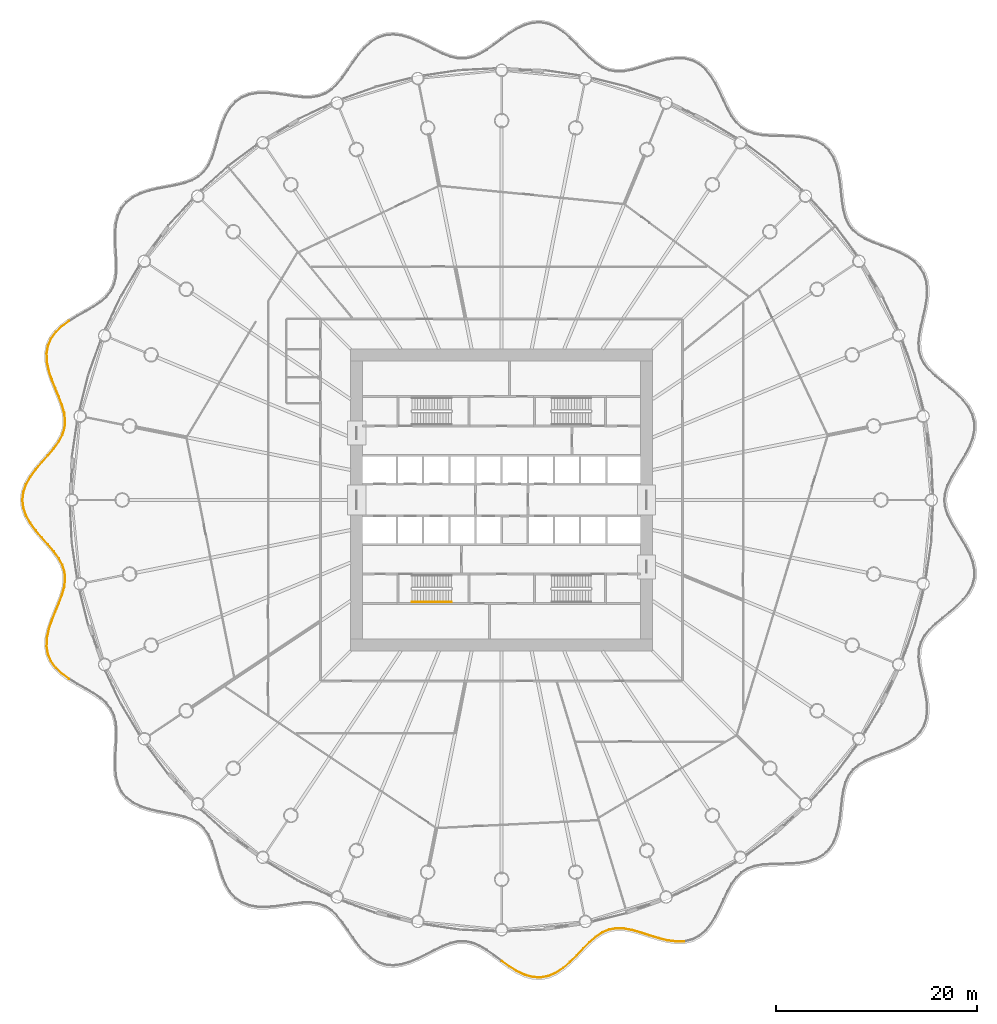
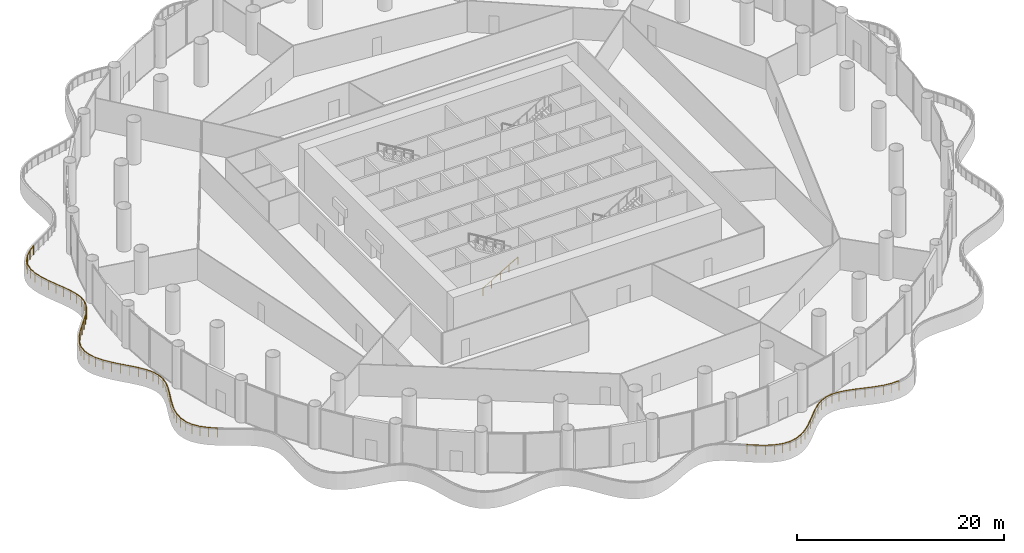
# One storey, part 29 of 35: 4 railings.
"""IFC4 building model written with IfcOpenShell, lengths in metres."""

from ifc_helpers import new_model, si_unit, direction, frame, origin, origin_2d, place, context, subcontext, project, spatial, circle, extrude, material, type_object, element, save


model = new_model("IFC4")

# Units and contexts
model_context = context("Model", 3, precision=1e-05, world=origin(), true_north=direction((0.0, 1.0)))
body_context = subcontext(model_context, "Body", "Model", "MODEL_VIEW")
ifc_project = project(units=[si_unit("LENGTHUNIT", "METRE"), si_unit("AREAUNIT", "SQUARE_METRE"), si_unit("VOLUMEUNIT", "CUBIC_METRE"), si_unit("PLANEANGLEUNIT", "RADIAN"), si_unit("MASSUNIT", "GRAM", prefix="KILO")], contexts=[model_context])

# Site, building, storey
site_placement = place(None, origin())
site = spatial("IfcSite", under=ifc_project, at=site_placement, CompositionType="ELEMENT")
building_placement = place(site_placement, origin())
building = spatial("IfcBuilding", under=site, at=building_placement, Name="Corvane Civic Tower", CompositionType="ELEMENT")
storey_placement = place(building_placement, frame((0.0, 0.0, 22.0)))
storey = spatial("IfcBuildingStorey", under=building, at=storey_placement, Name="L04", CompositionType="ELEMENT", Elevation=22.0)

# Railings
ifc_material_1 = material(Name="Steel ASTM A572 Gr 50", Category="steel")
railing_type_1 = type_object("IfcRailingType", Name="PODIUM-RL-GUARD-1100", PredefinedType="GUARDRAIL", material=ifc_material_1)
railing_1_placement = place(storey_placement, frame((-42.9794921875, 17.77978515625, 0.0)))
element("IfcRailing", 1, at=railing_1_placement, inside=storey, type_object=railing_type_1, Name="L04 ribbon guard 4", PredefinedType="GUARDRAIL", context=body_context, shape_type="SweptSolid", body=[
    extrude(circle(Radius=0.02392578125, at=origin_2d()), frame((0.0, 0.0, 1.076171875), z_axis=(-0.808024121699, -0.589149402743, 0.0), x_axis=(0.589149402743, -0.808024121699, 0.0)), (0.0, 0.0, 1.0), 0.875732421875),
    extrude(circle(Radius=0.02392578125, at=origin_2d()), frame((-0.70751953125, -0.515869140625, 1.076171875), z_axis=(-0.723647806024, -0.690169437774, 0.0), x_axis=(0.690169437774, -0.723647806024, 0.0)), (0.0, 0.0, 1.0), 0.853271484375),
    extrude(circle(Radius=0.02392578125, at=origin_2d()), frame((-1.324951171875, -1.104736328125, 1.076171875), z_axis=(-0.585070319638, -0.810982565213, 0.0), x_axis=(0.810982565213, -0.585070319638, 0.0)), (0.0, 0.0, 1.0), 0.80615234375),
    extrude(circle(Radius=0.02392578125, at=origin_2d()), frame((-1.796630859375, -1.758544921875, 1.076171875), z_axis=(-0.388966135256, -0.921252053254, 0.0), x_axis=(0.921252053254, -0.388966135256, 0.0)), (0.0, 0.0, 1.0), 0.7802734375),
    extrude(circle(Radius=0.02392578125, at=origin_2d()), frame((-2.10009765625, -2.477294921875, 1.076171875), z_axis=(-0.162739938475, -0.986668998411, 0.0), x_axis=(0.986668998411, -0.162739938475, 0.0)), (0.0, 0.0, 1.0), 0.78759765625),
    extrude(circle(Radius=0.02392578125, at=origin_2d()), frame((-2.228271484375, -3.25439453125, 1.076171875), z_axis=(0.047086758892, -0.99889080341, 0.0), x_axis=(0.99889080341, 0.047086758892, 0.0)), (0.0, 0.0, 1.0), 0.824462890625),
    extrude(circle(Radius=0.02392578125, at=origin_2d()), frame((-2.189453125, -4.077880859375, 1.076171875), z_axis=(0.208022388845, -0.978124064595, 0.0), x_axis=(0.978124064595, 0.208022388845, 0.0)), (0.0, 0.0, 1.0), 0.874267578125),
    extrude(circle(Radius=0.02392578125, at=origin_2d()), frame((-2.007568359375, -4.93310546875, 1.076171875), z_axis=(0.31446833184, -0.949267964418, 0.0), x_axis=(0.949267964418, 0.31446833184, 0.0)), (0.0, 0.0, 1.0), 0.916015625),
    extrude(circle(Radius=0.02392578125, at=origin_2d()), frame((-1.719482421875, -5.802734375, 1.076171875), z_axis=(0.371705911856, -0.9283505346, 0.0), x_axis=(0.9283505346, 0.371705911856, 0.0)), (0.0, 0.0, 1.0), 0.9345703125),
    extrude(circle(Radius=0.02392578125, at=origin_2d()), frame((-1.3720703125, -6.67041015625, 1.076171875), z_axis=(0.385629996801, -0.92265351328, 0.0), x_axis=(0.92265351328, 0.385629996801, 0.0)), (0.0, 0.0, 1.0), 0.92236328125),
    extrude(circle(Radius=0.02392578125, at=origin_2d()), frame((-1.016357421875, -7.521484375, 1.076171875), z_axis=(0.354311552016, -0.935127437363, 0.0), x_axis=(0.935127437363, 0.354311552016, 0.0)), (0.0, 0.0, 1.0), 0.880615234375),
    extrude(circle(Radius=0.02392578125, at=origin_2d()), frame((-0.704345703125, -8.344970703125, 1.076171875), z_axis=(0.270512880182, -0.962716355764, 0.0), x_axis=(0.962716355764, 0.270512880182, 0.0)), (0.0, 0.0, 1.0), 0.8203125),
    extrude(circle(Radius=0.02392578125, at=origin_2d()), frame((-0.482421875, -9.134765625, 1.076171875), z_axis=(0.124627707082, -0.992203575194, 0.0), x_axis=(0.992203575194, 0.124627707082, 0.0)), (0.0, 0.0, 1.0), 0.760009765625),
    extrude(circle(Radius=0.02392578125, at=origin_2d()), frame((-0.3876953125, -9.888916015625, 1.076171875), z_axis=(-0.077238126627, -0.997012673839, 0.0), x_axis=(0.997012673839, -0.077238126627, 0.0)), (0.0, 0.0, 1.0), 0.723876953125),
    extrude(circle(Radius=0.02392578125, at=origin_2d()), frame((-0.443603515625, -10.610595703125, 1.076171875), z_axis=(-0.29462753288, -0.955612168648, 0.0), x_axis=(0.955612168648, -0.29462753288, 0.0)), (0.0, 0.0, 1.0), 0.728271484375),
    extrude(circle(Radius=0.02392578125, at=origin_2d()), frame((-0.658203125, -11.306640625, 1.076171875), z_axis=(-0.472344319785, -0.88141411582, 0.0), x_axis=(0.88141411582, -0.472344319785, 0.0)), (0.0, 0.0, 1.0), 0.771728515625),
    extrude(circle(Radius=0.02392578125, at=origin_2d()), frame((-1.022705078125, -11.98681640625, 1.076171875), z_axis=(-0.587701494094, -0.809077841645, 0.0), x_axis=(0.809077841645, -0.587701494094, 0.0)), (0.0, 0.0, 1.0), 0.833740234375),
    extrude(circle(Radius=0.02392578125, at=origin_2d()), frame((-1.5126953125, -12.661376953125, 1.076171875), z_axis=(-0.647401953144, -0.762148746024, 0.0), x_axis=(0.762148746024, -0.647401953144, 0.0)), (0.0, 0.0, 1.0), 0.8916015625),
    extrude(circle(Radius=0.02392578125, at=origin_2d()), frame((-2.08984375, -13.3408203125, 1.076171875), z_axis=(-0.66485380036, -0.746973509668, 0.0), x_axis=(0.746973509668, -0.66485380036, 0.0)), (0.0, 0.0, 1.0), 0.927490234375),
    extrude(circle(Radius=0.02392578125, at=origin_2d()), frame((-2.70654296875, -14.03369140625, 1.076171875), z_axis=(-0.646364278771, -0.763028976598, 0.0), x_axis=(0.763028976598, -0.646364278771, 0.0)), (0.0, 0.0, 1.0), 0.933349609375),
    extrude(circle(Radius=0.02392578125, at=origin_2d()), frame((-3.309814453125, -14.745849609375, 1.076171875), z_axis=(-0.590198429837, -0.807258207402, 0.0), x_axis=(0.807258207402, -0.590198429837, 0.0)), (0.0, 0.0, 1.0), 0.90869140625),
    extrude(circle(Radius=0.02392578125, at=origin_2d()), frame((-3.84619140625, -15.4794921875, 1.076171875), z_axis=(-0.488663611226, -0.872472277533, 0.0), x_axis=(0.872472277533, -0.488663611226, 0.0)), (0.0, 0.0, 1.0), 0.86376953125),
    extrude(circle(Radius=0.02392578125, at=origin_2d()), frame((-4.268310546875, -16.233154296875, 1.076171875), z_axis=(-0.330750742089, -0.943718149983, 0.0), x_axis=(0.943718149983, -0.330750742089, 0.0)), (0.0, 0.0, 1.0), 0.81494140625),
    extrude(circle(Radius=0.02392578125, at=origin_2d()), frame((-4.537841796875, -17.002197265625, 1.076171875), z_axis=(-0.118522895121, -0.992951319719, 0.0), x_axis=(0.992951319719, -0.118522895121, 0.0)), (0.0, 0.0, 1.0), 0.758056640625),
    extrude(circle(Radius=0.02099609375, at=origin_2d()), origin(), (0.0, 0.0, 1.0), 1.052001953125),
    extrude(circle(Radius=0.02099609375, at=origin_2d()), frame((-0.70751953125, -0.515869140625, 0.0)), (0.0, 0.0, 1.0), 1.052001953125),
    extrude(circle(Radius=0.02099609375, at=origin_2d()), frame((-1.324951171875, -1.104736328125, 0.0)), (0.0, 0.0, 1.0), 1.052001953125),
    extrude(circle(Radius=0.02099609375, at=origin_2d()), frame((-1.796630859375, -1.758544921875, 0.0)), (0.0, 0.0, 1.0), 1.052001953125),
    extrude(circle(Radius=0.02099609375, at=origin_2d()), frame((-2.10009765625, -2.477294921875, 0.0)), (0.0, 0.0, 1.0), 1.052001953125),
    extrude(circle(Radius=0.02099609375, at=origin_2d()), frame((-2.228271484375, -3.25439453125, 0.0)), (0.0, 0.0, 1.0), 1.052001953125),
    extrude(circle(Radius=0.02099609375, at=origin_2d()), frame((-2.189453125, -4.077880859375, 0.0)), (0.0, 0.0, 1.0), 1.052001953125),
    extrude(circle(Radius=0.02099609375, at=origin_2d()), frame((-2.007568359375, -4.93310546875, 0.0)), (0.0, 0.0, 1.0), 1.052001953125),
    extrude(circle(Radius=0.02099609375, at=origin_2d()), frame((-1.719482421875, -5.802734375, 0.0)), (0.0, 0.0, 1.0), 1.052001953125),
    extrude(circle(Radius=0.02099609375, at=origin_2d()), frame((-1.3720703125, -6.67041015625, 0.0)), (0.0, 0.0, 1.0), 1.052001953125),
    extrude(circle(Radius=0.02099609375, at=origin_2d()), frame((-1.016357421875, -7.521484375, 0.0)), (0.0, 0.0, 1.0), 1.052001953125),
    extrude(circle(Radius=0.02099609375, at=origin_2d()), frame((-0.704345703125, -8.344970703125, 0.0)), (0.0, 0.0, 1.0), 1.052001953125),
    extrude(circle(Radius=0.02099609375, at=origin_2d()), frame((-0.482421875, -9.134765625, 0.0)), (0.0, 0.0, 1.0), 1.052001953125),
    extrude(circle(Radius=0.02099609375, at=origin_2d()), frame((-0.3876953125, -9.888916015625, 0.0)), (0.0, 0.0, 1.0), 1.052001953125),
    extrude(circle(Radius=0.02099609375, at=origin_2d()), frame((-0.443603515625, -10.610595703125, 0.0)), (0.0, 0.0, 1.0), 1.052001953125),
    extrude(circle(Radius=0.02099609375, at=origin_2d()), frame((-0.658203125, -11.306640625, 0.0)), (0.0, 0.0, 1.0), 1.052001953125),
    extrude(circle(Radius=0.02099609375, at=origin_2d()), frame((-1.022705078125, -11.98681640625, 0.0)), (0.0, 0.0, 1.0), 1.052001953125),
    extrude(circle(Radius=0.02099609375, at=origin_2d()), frame((-1.5126953125, -12.661376953125, 0.0)), (0.0, 0.0, 1.0), 1.052001953125),
    extrude(circle(Radius=0.02099609375, at=origin_2d()), frame((-2.08984375, -13.3408203125, 0.0)), (0.0, 0.0, 1.0), 1.052001953125),
    extrude(circle(Radius=0.02099609375, at=origin_2d()), frame((-2.70654296875, -14.03369140625, 0.0)), (0.0, 0.0, 1.0), 1.052001953125),
    extrude(circle(Radius=0.02099609375, at=origin_2d()), frame((-3.309814453125, -14.745849609375, 0.0)), (0.0, 0.0, 1.0), 1.052001953125),
    extrude(circle(Radius=0.02099609375, at=origin_2d()), frame((-3.84619140625, -15.4794921875, 0.0)), (0.0, 0.0, 1.0), 1.052001953125),
    extrude(circle(Radius=0.02099609375, at=origin_2d()), frame((-4.268310546875, -16.233154296875, 0.0)), (0.0, 0.0, 1.0), 1.052001953125),
    extrude(circle(Radius=0.02099609375, at=origin_2d()), frame((-4.537841796875, -17.002197265625, 0.0)), (0.0, 0.0, 1.0), 1.052001953125),
    extrude(circle(Radius=0.02099609375, at=origin_2d()), frame((-4.627685546875, -17.7548828125, 0.0)), (0.0, 0.0, 1.0), 1.052001953125),
])
railing_2_placement = place(storey_placement, frame((-47.607177734375, -0.02490234375, 0.0)))
element("IfcRailing", 2, at=railing_2_placement, inside=storey, type_object=railing_type_1, Name="L04 ribbon guard 5", PredefinedType="GUARDRAIL", context=body_context, shape_type="SweptSolid", body=[
    extrude(circle(Radius=0.02392578125, at=origin_2d()), frame((0.0, 0.0, 1.076171875), z_axis=(0.118522895121, -0.992951319719, 0.0), x_axis=(0.992951319719, 0.118522895121, 0.0)), (0.0, 0.0, 1.0), 0.758056640625),
    extrude(circle(Radius=0.02392578125, at=origin_2d()), frame((0.08984375, -0.752685546875, 1.076171875), z_axis=(0.330750742089, -0.943718149983, 0.0), x_axis=(0.943718149983, 0.330750742089, 0.0)), (0.0, 0.0, 1.0), 0.81494140625),
    extrude(circle(Radius=0.02392578125, at=origin_2d()), frame((0.359375, -1.521728515625, 1.076171875), z_axis=(0.488663611226, -0.872472277533, 0.0), x_axis=(0.872472277533, 0.488663611226, 0.0)), (0.0, 0.0, 1.0), 0.86376953125),
    extrude(circle(Radius=0.02392578125, at=origin_2d()), frame((0.781494140625, -2.275390625, 1.076171875), z_axis=(0.590198429837, -0.807258207402, 0.0), x_axis=(0.807258207402, 0.590198429837, 0.0)), (0.0, 0.0, 1.0), 0.90869140625),
    extrude(circle(Radius=0.02392578125, at=origin_2d()), frame((1.31787109375, -3.009033203125, 1.076171875), z_axis=(0.646364278771, -0.763028976598, 0.0), x_axis=(0.763028976598, 0.646364278771, 0.0)), (0.0, 0.0, 1.0), 0.933349609375),
    extrude(circle(Radius=0.02392578125, at=origin_2d()), frame((1.921142578125, -3.72119140625, 1.076171875), z_axis=(0.66485380036, -0.746973509668, 0.0), x_axis=(0.746973509668, 0.66485380036, 0.0)), (0.0, 0.0, 1.0), 0.927490234375),
    extrude(circle(Radius=0.02392578125, at=origin_2d()), frame((2.537841796875, -4.4140625, 1.076171875), z_axis=(0.647401953144, -0.762148746024, 0.0), x_axis=(0.762148746024, 0.647401953144, 0.0)), (0.0, 0.0, 1.0), 0.8916015625),
    extrude(circle(Radius=0.02392578125, at=origin_2d()), frame((3.114990234375, -5.093505859375, 1.076171875), z_axis=(0.587701494094, -0.809077841645, 0.0), x_axis=(0.809077841645, 0.587701494094, 0.0)), (0.0, 0.0, 1.0), 0.833740234375),
    extrude(circle(Radius=0.02392578125, at=origin_2d()), frame((3.60498046875, -5.76806640625, 1.076171875), z_axis=(0.472344319785, -0.88141411582, 0.0), x_axis=(0.88141411582, 0.472344319785, 0.0)), (0.0, 0.0, 1.0), 0.771728515625),
    extrude(circle(Radius=0.02392578125, at=origin_2d()), frame((3.969482421875, -6.4482421875, 1.076171875), z_axis=(0.29462753288, -0.955612168648, 0.0), x_axis=(0.955612168648, 0.29462753288, 0.0)), (0.0, 0.0, 1.0), 0.728271484375),
    extrude(circle(Radius=0.02392578125, at=origin_2d()), frame((4.18408203125, -7.144287109375, 1.076171875), z_axis=(0.077238126627, -0.997012673839, 0.0), x_axis=(0.997012673839, 0.077238126627, 0.0)), (0.0, 0.0, 1.0), 0.723876953125),
    extrude(circle(Radius=0.02392578125, at=origin_2d()), frame((4.239990234375, -7.865966796875, 1.076171875), z_axis=(-0.124627707082, -0.992203575194, 0.0), x_axis=(0.992203575194, -0.124627707082, 0.0)), (0.0, 0.0, 1.0), 0.760009765625),
    extrude(circle(Radius=0.02392578125, at=origin_2d()), frame((4.145263671875, -8.6201171875, 1.076171875), z_axis=(-0.270512880182, -0.962716355764, 0.0), x_axis=(0.962716355764, -0.270512880182, 0.0)), (0.0, 0.0, 1.0), 0.8203125),
    extrude(circle(Radius=0.02392578125, at=origin_2d()), frame((3.92333984375, -9.409912109375, 1.076171875), z_axis=(-0.354311552016, -0.935127437363, 0.0), x_axis=(0.935127437363, -0.354311552016, 0.0)), (0.0, 0.0, 1.0), 0.880615234375),
    extrude(circle(Radius=0.02392578125, at=origin_2d()), frame((3.611328125, -10.2333984375, 1.076171875), z_axis=(-0.385629996801, -0.92265351328, 0.0), x_axis=(0.92265351328, -0.385629996801, 0.0)), (0.0, 0.0, 1.0), 0.92236328125),
    extrude(circle(Radius=0.02392578125, at=origin_2d()), frame((3.255615234375, -11.08447265625, 1.076171875), z_axis=(-0.371705911856, -0.9283505346, 0.0), x_axis=(0.9283505346, -0.371705911856, 0.0)), (0.0, 0.0, 1.0), 0.9345703125),
    extrude(circle(Radius=0.02392578125, at=origin_2d()), frame((2.908203125, -11.9521484375, 1.076171875), z_axis=(-0.31446833184, -0.949267964418, 0.0), x_axis=(0.949267964418, -0.31446833184, 0.0)), (0.0, 0.0, 1.0), 0.916015625),
    extrude(circle(Radius=0.02392578125, at=origin_2d()), frame((2.6201171875, -12.82177734375, 1.076171875), z_axis=(-0.208022388845, -0.978124064595, 0.0), x_axis=(0.978124064595, -0.208022388845, 0.0)), (0.0, 0.0, 1.0), 0.874267578125),
    extrude(circle(Radius=0.02392578125, at=origin_2d()), frame((2.438232421875, -13.677001953125, 1.076171875), z_axis=(-0.047086758892, -0.99889080341, 0.0), x_axis=(0.99889080341, -0.047086758892, 0.0)), (0.0, 0.0, 1.0), 0.824462890625),
    extrude(circle(Radius=0.02392578125, at=origin_2d()), frame((2.3994140625, -14.50048828125, 1.076171875), z_axis=(0.162739938475, -0.986668998411, 0.0), x_axis=(0.986668998411, 0.162739938475, 0.0)), (0.0, 0.0, 1.0), 0.78759765625),
    extrude(circle(Radius=0.02392578125, at=origin_2d()), frame((2.527587890625, -15.277587890625, 1.076171875), z_axis=(0.388966135256, -0.921252053254, 0.0), x_axis=(0.921252053254, 0.388966135256, 0.0)), (0.0, 0.0, 1.0), 0.7802734375),
    extrude(circle(Radius=0.02392578125, at=origin_2d()), frame((2.8310546875, -15.996337890625, 1.076171875), z_axis=(0.585070319638, -0.810982565213, 0.0), x_axis=(0.810982565213, 0.585070319638, 0.0)), (0.0, 0.0, 1.0), 0.80615234375),
    extrude(circle(Radius=0.02392578125, at=origin_2d()), frame((3.302734375, -16.650146484375, 1.076171875), z_axis=(0.723647806024, -0.690169437774, 0.0), x_axis=(0.690169437774, 0.723647806024, 0.0)), (0.0, 0.0, 1.0), 0.853271484375),
    extrude(circle(Radius=0.02392578125, at=origin_2d()), frame((3.920166015625, -17.239013671875, 1.076171875), z_axis=(0.808024121699, -0.589149402743, 0.0), x_axis=(0.589149402743, 0.808024121699, 0.0)), (0.0, 0.0, 1.0), 0.875732421875),
    extrude(circle(Radius=0.02099609375, at=origin_2d()), origin(), (0.0, 0.0, 1.0), 1.052001953125),
    extrude(circle(Radius=0.02099609375, at=origin_2d()), frame((0.08984375, -0.752685546875, 0.0)), (0.0, 0.0, 1.0), 1.052001953125),
    extrude(circle(Radius=0.02099609375, at=origin_2d()), frame((0.359375, -1.521728515625, 0.0)), (0.0, 0.0, 1.0), 1.052001953125),
    extrude(circle(Radius=0.02099609375, at=origin_2d()), frame((0.781494140625, -2.275390625, 0.0)), (0.0, 0.0, 1.0), 1.052001953125),
    extrude(circle(Radius=0.02099609375, at=origin_2d()), frame((1.31787109375, -3.009033203125, 0.0)), (0.0, 0.0, 1.0), 1.052001953125),
    extrude(circle(Radius=0.02099609375, at=origin_2d()), frame((1.921142578125, -3.72119140625, 0.0)), (0.0, 0.0, 1.0), 1.052001953125),
    extrude(circle(Radius=0.02099609375, at=origin_2d()), frame((2.537841796875, -4.4140625, 0.0)), (0.0, 0.0, 1.0), 1.052001953125),
    extrude(circle(Radius=0.02099609375, at=origin_2d()), frame((3.114990234375, -5.093505859375, 0.0)), (0.0, 0.0, 1.0), 1.052001953125),
    extrude(circle(Radius=0.02099609375, at=origin_2d()), frame((3.60498046875, -5.76806640625, 0.0)), (0.0, 0.0, 1.0), 1.052001953125),
    extrude(circle(Radius=0.02099609375, at=origin_2d()), frame((3.969482421875, -6.4482421875, 0.0)), (0.0, 0.0, 1.0), 1.052001953125),
    extrude(circle(Radius=0.02099609375, at=origin_2d()), frame((4.18408203125, -7.144287109375, 0.0)), (0.0, 0.0, 1.0), 1.052001953125),
    extrude(circle(Radius=0.02099609375, at=origin_2d()), frame((4.239990234375, -7.865966796875, 0.0)), (0.0, 0.0, 1.0), 1.052001953125),
    extrude(circle(Radius=0.02099609375, at=origin_2d()), frame((4.145263671875, -8.6201171875, 0.0)), (0.0, 0.0, 1.0), 1.052001953125),
    extrude(circle(Radius=0.02099609375, at=origin_2d()), frame((3.92333984375, -9.409912109375, 0.0)), (0.0, 0.0, 1.0), 1.052001953125),
    extrude(circle(Radius=0.02099609375, at=origin_2d()), frame((3.611328125, -10.2333984375, 0.0)), (0.0, 0.0, 1.0), 1.052001953125),
    extrude(circle(Radius=0.02099609375, at=origin_2d()), frame((3.255615234375, -11.08447265625, 0.0)), (0.0, 0.0, 1.0), 1.052001953125),
    extrude(circle(Radius=0.02099609375, at=origin_2d()), frame((2.908203125, -11.9521484375, 0.0)), (0.0, 0.0, 1.0), 1.052001953125),
    extrude(circle(Radius=0.02099609375, at=origin_2d()), frame((2.6201171875, -12.82177734375, 0.0)), (0.0, 0.0, 1.0), 1.052001953125),
    extrude(circle(Radius=0.02099609375, at=origin_2d()), frame((2.438232421875, -13.677001953125, 0.0)), (0.0, 0.0, 1.0), 1.052001953125),
    extrude(circle(Radius=0.02099609375, at=origin_2d()), frame((2.3994140625, -14.50048828125, 0.0)), (0.0, 0.0, 1.0), 1.052001953125),
    extrude(circle(Radius=0.02099609375, at=origin_2d()), frame((2.527587890625, -15.277587890625, 0.0)), (0.0, 0.0, 1.0), 1.052001953125),
    extrude(circle(Radius=0.02099609375, at=origin_2d()), frame((2.8310546875, -15.996337890625, 0.0)), (0.0, 0.0, 1.0), 1.052001953125),
    extrude(circle(Radius=0.02099609375, at=origin_2d()), frame((3.302734375, -16.650146484375, 0.0)), (0.0, 0.0, 1.0), 1.052001953125),
    extrude(circle(Radius=0.02099609375, at=origin_2d()), frame((3.920166015625, -17.239013671875, 0.0)), (0.0, 0.0, 1.0), 1.052001953125),
    extrude(circle(Radius=0.02099609375, at=origin_2d()), frame((4.627685546875, -17.7548828125, 0.0)), (0.0, 0.0, 1.0), 1.052001953125),
])
railing_3_placement = place(storey_placement, frame((0.020263671875, -45.82470703125, 0.0)))
element("IfcRailing", 3, at=railing_3_placement, inside=storey, type_object=railing_type_1, Name="L04 ribbon guard 9", PredefinedType="GUARDRAIL", context=body_context, shape_type="SweptSolid", body=[
    extrude(circle(Radius=0.02392578125, at=origin_2d()), frame((0.0, 0.0, 1.076171875), z_axis=(0.812460785763, -0.583015841635, 0.0), x_axis=(0.583015841635, 0.812460785763, 0.0)), (0.0, 0.0, 1.0), 0.90869140625),
    extrude(circle(Radius=0.02392578125, at=origin_2d()), frame((0.73828125, -0.52978515625, 1.076171875), z_axis=(0.850653427583, -0.525726874091, 0.0), x_axis=(0.525726874091, 0.850653427583, 0.0)), (0.0, 0.0, 1.0), 0.91064453125),
    extrude(circle(Radius=0.02392578125, at=origin_2d()), frame((1.512939453125, -1.008544921875, 1.076171875), z_axis=(0.906693548144, -0.421790006703, 0.0), x_axis=(0.421790006703, 0.906693548144, 0.0)), (0.0, 0.0, 1.0), 0.866455078125),
    extrude(circle(Radius=0.02392578125, at=origin_2d()), frame((2.298583984375, -1.3740234375, 1.076171875), z_axis=(0.965080195855, -0.261954605932, 0.0), x_axis=(0.261954605932, 0.965080195855, 0.0)), (0.0, 0.0, 1.0), 0.8173828125),
    extrude(circle(Radius=0.02392578125, at=origin_2d()), frame((3.08740234375, -1.588134765625, 1.076171875), z_axis=(0.998849032041, -0.047964686914, 0.0), x_axis=(0.047964686914, 0.998849032041, 0.0)), (0.0, 0.0, 1.0), 0.783935546875),
    extrude(circle(Radius=0.02392578125, at=origin_2d()), frame((3.870361328125, -1.625732421875, 1.076171875), z_axis=(0.982248298966, 0.1875853917, 0.0), x_axis=(-0.1875853917, 0.982248298966, 0.0)), (0.0, 0.0, 1.0), 0.7822265625),
    extrude(circle(Radius=0.02392578125, at=origin_2d()), frame((4.638671875, -1.47900390625, 1.076171875), z_axis=(0.917380193582, 0.398012035526, 0.0), x_axis=(-0.398012035526, 0.917380193582, 0.0)), (0.0, 0.0, 1.0), 0.812744140625),
    extrude(circle(Radius=0.02392578125, at=origin_2d()), frame((5.38427734375, -1.155517578125, 1.076171875), z_axis=(0.833486795532, 0.552539375677, 0.0), x_axis=(-0.552539375677, 0.833486795532, 0.0)), (0.0, 0.0, 1.0), 0.861083984375),
    extrude(circle(Radius=0.02392578125, at=origin_2d()), frame((6.10205078125, -0.6796875, 1.076171875), z_axis=(0.75914257681, 0.65092437969, 0.0), x_axis=(-0.65092437969, 0.75914257681, 0.0)), (0.0, 0.0, 1.0), 0.906982421875),
    extrude(circle(Radius=0.02392578125, at=origin_2d()), frame((6.79052734375, -0.08935546875, 1.076171875), z_axis=(0.708936961458, 0.705271851613, 0.0), x_axis=(-0.705271851613, 0.708936961458, 0.0)), (0.0, 0.0, 1.0), 0.9326171875),
    extrude(circle(Radius=0.02392578125, at=origin_2d()), frame((7.45166015625, 0.568359375, 1.076171875), z_axis=(0.689543571561, 0.724244201163, 0.0), x_axis=(-0.724244201163, 0.689543571561, 0.0)), (0.0, 0.0, 1.0), 0.9287109375),
    extrude(circle(Radius=0.02392578125, at=origin_2d()), frame((8.092041015625, 1.240966796875, 1.076171875), z_axis=(0.704233789182, 0.709968147295, 0.0), x_axis=(-0.709968147295, 0.704233789182, 0.0)), (0.0, 0.0, 1.0), 0.89404296875),
    extrude(circle(Radius=0.02392578125, at=origin_2d()), frame((8.7216796875, 1.875732421875, 1.076171875), z_axis=(0.754272620006, 0.656561356393, 0.0), x_axis=(-0.656561356393, 0.754272620006, 0.0)), (0.0, 0.0, 1.0), 0.8369140625),
    extrude(circle(Radius=0.02392578125, at=origin_2d()), frame((9.35302734375, 2.42529296875, 1.076171875), z_axis=(0.834563037392, 0.550912458218, 0.0), x_axis=(-0.550912458218, 0.834563037392, 0.0)), (0.0, 0.0, 1.0), 0.774658203125),
    extrude(circle(Radius=0.02392578125, at=origin_2d()), frame((9.99951171875, 2.85205078125, 1.076171875), z_axis=(0.923768086981, 0.382952374943, 0.0), x_axis=(-0.382952374943, 0.923768086981, 0.0)), (0.0, 0.0, 1.0), 0.72998046875),
    extrude(circle(Radius=0.02392578125, at=origin_2d()), frame((10.673828125, 3.131591796875, 1.076171875), z_axis=(0.985295896143, 0.170856656425, 0.0), x_axis=(-0.170856656425, 0.985295896143, 0.0)), (0.0, 0.0, 1.0), 0.72314453125),
    extrude(circle(Radius=0.02392578125, at=origin_2d()), frame((11.38623046875, 3.255126953125, 1.076171875), z_axis=(0.999459476494, -0.032874836054, 0.0), x_axis=(0.032874836054, 0.999459476494, 0.0)), (0.0, 0.0, 1.0), 0.757568359375),
    extrude(circle(Radius=0.02392578125, at=origin_2d()), frame((12.143310546875, 3.230224609375, 1.076171875), z_axis=(0.982963417039, -0.183801307838, 0.0), x_axis=(0.183801307838, 0.982963417039, 0.0)), (0.0, 0.0, 1.0), 0.81689453125),
    extrude(circle(Radius=0.02392578125, at=origin_2d()), frame((12.9462890625, 3.080078125, 1.076171875), z_axis=(0.962057394744, -0.272847153583, 0.0), x_axis=(0.272847153583, 0.962057394744, 0.0)), (0.0, 0.0, 1.0), 0.877685546875),
    extrude(circle(Radius=0.02392578125, at=origin_2d()), frame((13.790771484375, 2.840576171875, 1.076171875), z_axis=(0.95153354577, -0.307544974392, 0.0), x_axis=(0.307544974392, 0.95153354577, 0.0)), (0.0, 0.0, 1.0), 0.9208984375),
    extrude(circle(Radius=0.02392578125, at=origin_2d()), frame((14.6669921875, 2.557373046875, 1.076171875), z_axis=(0.955229674826, -0.295865287473, 0.0), x_axis=(0.295865287473, 0.955229674826, 0.0)), (0.0, 0.0, 1.0), 0.934814453125),
    extrude(circle(Radius=0.02392578125, at=origin_2d()), frame((15.56005859375, 2.28076171875, 1.076171875), z_axis=(0.970981624167, -0.239154104144, 0.0), x_axis=(0.239154104144, 0.970981624167, 0.0)), (0.0, 0.0, 1.0), 0.917724609375),
    extrude(circle(Radius=0.02392578125, at=origin_2d()), frame((16.451171875, 2.061279296875, 1.076171875), z_axis=(0.99102735355, -0.133659210369, 0.0), x_axis=(0.133659210369, 0.99102735355, 0.0)), (0.0, 0.0, 1.0), 0.876708984375),
    extrude(circle(Radius=0.02392578125, at=origin_2d()), frame((17.320068359375, 1.944091796875, 1.076171875), z_axis=(0.999673028999, 0.02557019928, 0.0), x_axis=(-0.02557019928, 0.999673028999, 0.0)), (0.0, 0.0, 1.0), 0.802001953125),
    extrude(circle(Radius=0.02099609375, at=origin_2d()), origin(), (0.0, 0.0, 1.0), 1.052001953125),
    extrude(circle(Radius=0.02099609375, at=origin_2d()), frame((0.73828125, -0.52978515625, 0.0)), (0.0, 0.0, 1.0), 1.052001953125),
    extrude(circle(Radius=0.02099609375, at=origin_2d()), frame((1.512939453125, -1.008544921875, 0.0)), (0.0, 0.0, 1.0), 1.052001953125),
    extrude(circle(Radius=0.02099609375, at=origin_2d()), frame((2.298583984375, -1.3740234375, 0.0)), (0.0, 0.0, 1.0), 1.052001953125),
    extrude(circle(Radius=0.02099609375, at=origin_2d()), frame((3.08740234375, -1.588134765625, 0.0)), (0.0, 0.0, 1.0), 1.052001953125),
    extrude(circle(Radius=0.02099609375, at=origin_2d()), frame((3.870361328125, -1.625732421875, 0.0)), (0.0, 0.0, 1.0), 1.052001953125),
    extrude(circle(Radius=0.02099609375, at=origin_2d()), frame((4.638671875, -1.47900390625, 0.0)), (0.0, 0.0, 1.0), 1.052001953125),
    extrude(circle(Radius=0.02099609375, at=origin_2d()), frame((5.38427734375, -1.155517578125, 0.0)), (0.0, 0.0, 1.0), 1.052001953125),
    extrude(circle(Radius=0.02099609375, at=origin_2d()), frame((6.10205078125, -0.6796875, 0.0)), (0.0, 0.0, 1.0), 1.052001953125),
    extrude(circle(Radius=0.02099609375, at=origin_2d()), frame((6.79052734375, -0.08935546875, 0.0)), (0.0, 0.0, 1.0), 1.052001953125),
    extrude(circle(Radius=0.02099609375, at=origin_2d()), frame((7.45166015625, 0.568359375, 0.0)), (0.0, 0.0, 1.0), 1.052001953125),
    extrude(circle(Radius=0.02099609375, at=origin_2d()), frame((8.092041015625, 1.240966796875, 0.0)), (0.0, 0.0, 1.0), 1.052001953125),
    extrude(circle(Radius=0.02099609375, at=origin_2d()), frame((8.7216796875, 1.875732421875, 0.0)), (0.0, 0.0, 1.0), 1.052001953125),
    extrude(circle(Radius=0.02099609375, at=origin_2d()), frame((9.35302734375, 2.42529296875, 0.0)), (0.0, 0.0, 1.0), 1.052001953125),
    extrude(circle(Radius=0.02099609375, at=origin_2d()), frame((9.99951171875, 2.85205078125, 0.0)), (0.0, 0.0, 1.0), 1.052001953125),
    extrude(circle(Radius=0.02099609375, at=origin_2d()), frame((10.673828125, 3.131591796875, 0.0)), (0.0, 0.0, 1.0), 1.052001953125),
    extrude(circle(Radius=0.02099609375, at=origin_2d()), frame((11.38623046875, 3.255126953125, 0.0)), (0.0, 0.0, 1.0), 1.052001953125),
    extrude(circle(Radius=0.02099609375, at=origin_2d()), frame((12.143310546875, 3.230224609375, 0.0)), (0.0, 0.0, 1.0), 1.052001953125),
    extrude(circle(Radius=0.02099609375, at=origin_2d()), frame((12.9462890625, 3.080078125, 0.0)), (0.0, 0.0, 1.0), 1.052001953125),
    extrude(circle(Radius=0.02099609375, at=origin_2d()), frame((13.790771484375, 2.840576171875, 0.0)), (0.0, 0.0, 1.0), 1.052001953125),
    extrude(circle(Radius=0.02099609375, at=origin_2d()), frame((14.6669921875, 2.557373046875, 0.0)), (0.0, 0.0, 1.0), 1.052001953125),
    extrude(circle(Radius=0.02099609375, at=origin_2d()), frame((15.56005859375, 2.28076171875, 0.0)), (0.0, 0.0, 1.0), 1.052001953125),
    extrude(circle(Radius=0.02099609375, at=origin_2d()), frame((16.451171875, 2.061279296875, 0.0)), (0.0, 0.0, 1.0), 1.052001953125),
    extrude(circle(Radius=0.02099609375, at=origin_2d()), frame((17.320068359375, 1.944091796875, 0.0)), (0.0, 0.0, 1.0), 1.052001953125),
    extrude(circle(Radius=0.02099609375, at=origin_2d()), frame((18.121826171875, 1.964599609375, 0.0)), (0.0, 0.0, 1.0), 1.052001953125),
])
ifc_material_2 = material(Name="Steel ASTM A572 Gr 50", Category="steel")
railing_type_2 = type_object("IfcRailingType", Name="ST-HANDRAIL-900", PredefinedType="HANDRAIL", material=ifc_material_2)
railing_4_placement = place(storey_placement, frame((-8.89990234375, -10.14990234375, 0.166748046875)))
element("IfcRailing", 4, at=railing_4_placement, inside=storey, type_object=railing_type_2, Name="L04 ST3 stair handrail 1", PredefinedType="HANDRAIL", context=body_context, shape_type="SweptSolid", body=[
    extrude(circle(Radius=0.02392578125, at=origin_2d()), frame((0.0, 0.0, 0.8759765625), z_axis=(0.859296244711, 0.0, 0.511478214419), x_axis=(0.0, 1.0, 0.0)), (0.0, 0.0, 1.0), 4.561767578125),
    extrude(circle(Radius=0.02099609375, at=origin_2d()), origin(), (0.0, 0.0, 1.0), 0.851806640625),
    extrude(circle(Radius=0.02099609375, at=origin_2d()), frame((0.97998046875, 0.0, 0.583251953125)), (0.0, 0.0, 1.0), 0.851806640625),
    extrude(circle(Radius=0.02099609375, at=origin_2d()), frame((1.9599609375, 0.0, 1.16650390625)), (0.0, 0.0, 1.0), 0.851806640625),
    extrude(circle(Radius=0.02099609375, at=origin_2d()), frame((2.93994140625, 0.0, 1.75)), (0.0, 0.0, 1.0), 0.851806640625),
    extrude(circle(Radius=0.02099609375, at=origin_2d()), frame((3.919921875, 0.0, 2.333251953125)), (0.0, 0.0, 1.0), 0.851806640625),
])

save(model, "model.ifc")
